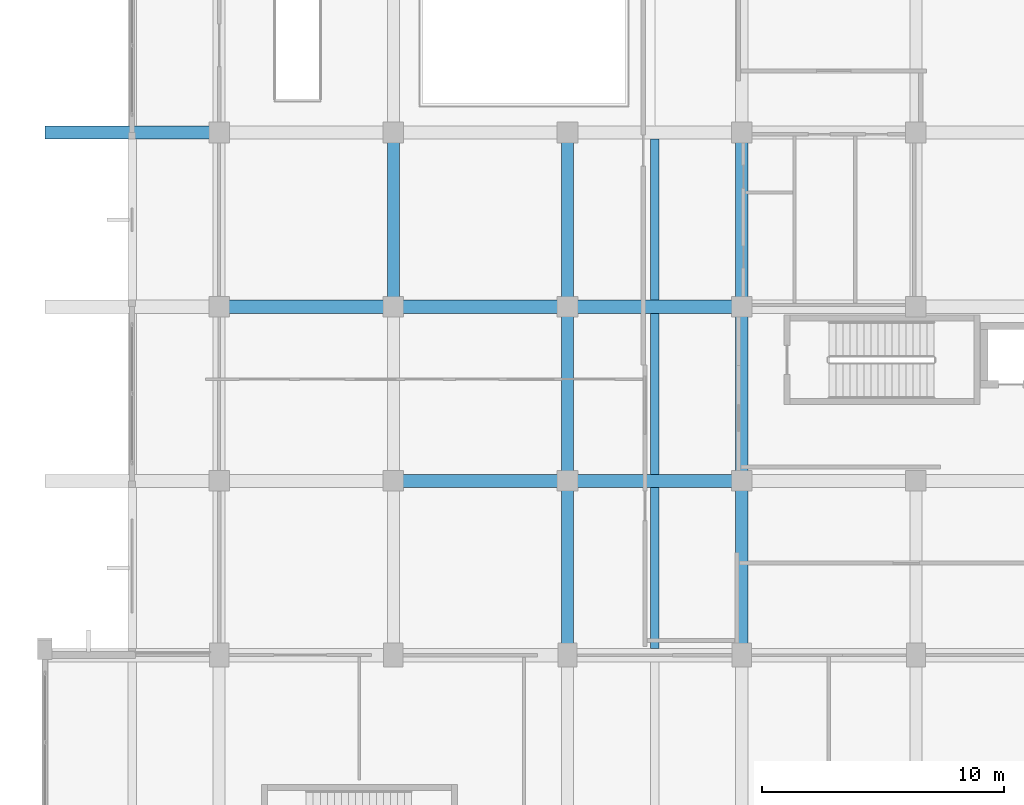
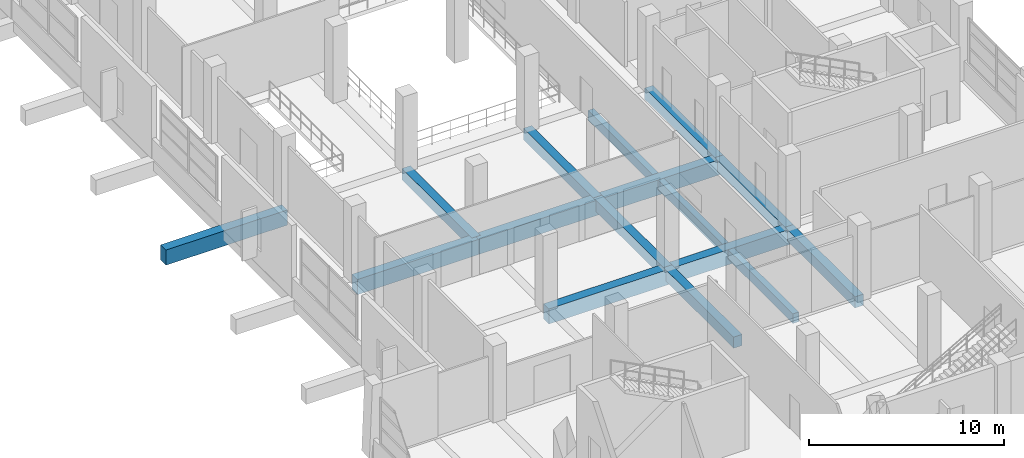
# One storey, part 19 of 181: 16 beams.
"""IFC4 building model written with IfcOpenShell, lengths in metres."""

from ifc_helpers import new_model, si_unit, direction, frame, origin, origin_2d, place, context, subcontext, project, spatial, rectangle, extrude, material, material_profile, profile_set, type_object, element, save


model = new_model("IFC4")

# Units and contexts
model_context = context("Model", 3, precision=1e-05, world=origin(), true_north=direction((0.0, 1.0)))
body_context = subcontext(model_context, "Body", "Model", "MODEL_VIEW")
ifc_project = project(units=[si_unit("LENGTHUNIT", "METRE"), si_unit("AREAUNIT", "SQUARE_METRE"), si_unit("VOLUMEUNIT", "CUBIC_METRE"), si_unit("PLANEANGLEUNIT", "RADIAN"), si_unit("MASSUNIT", "GRAM", prefix="KILO")], contexts=[model_context])

# Site, building, storey
site_placement = place(None, origin())
site = spatial("IfcSite", under=ifc_project, at=site_placement, CompositionType="ELEMENT")
building_placement = place(site_placement, origin())
building = spatial("IfcBuilding", under=site, at=building_placement, Name="Seraya Terrace Polytechnic", CompositionType="ELEMENT")
storey_placement = place(building_placement, frame((0.0, 0.0, 4.800048828125)))
storey = spatial("IfcBuildingStorey", under=building, at=storey_placement, Name="L01", CompositionType="ELEMENT", Elevation=4.800048828125)

# Beams
ifc_material = material(Name="Concrete C40/50", Category="concrete")
ifc_material_profile_1 = material_profile(ifc_material, rectangle(XDim=0.550048828125, YDim=0.949951171875, at=origin_2d()), Name="RC 550x950")
ifc_profile_set_1 = profile_set([ifc_material_profile_1], Name="Concrete C40/50")
beam_type_1 = type_object("IfcBeamType", Name="BM-03", PredefinedType="BEAM", material=ifc_profile_set_1)
beam_1_placement = place(storey_placement, frame((14.39990234375, 36.0, -0.47509765625), z_axis=(1.0, 0.0, 0.0), x_axis=(0.0, 1.0, 0.0)))
element("IfcBeam", 1, at=beam_1_placement, inside=storey, type_object=beam_type_1, Name="Beam BM-03 L01 X (14.4..21.6, 36.0)", PredefinedType="BEAM", context=body_context, shape_type="SweptSolid", body=[
    extrude(rectangle(XDim=0.550048828125, YDim=0.949951171875, at=origin_2d()), origin(), (0.0, 0.0, 1.0), 7.2001953125),
])
for number, where, z_axis, x_axis, name in (
    (2, (21.60009765625, 36.0, -0.47509765625), (1.0, 0.0, 0.0), (0.0, 1.0, 0.0), "Beam BM-03 L01 X (21.6..28.8, 36.0)"),
    (3, (7.199951171875, 43.199951171875, -0.47509765625), (1.0, 0.0, 0.0), (0.0, 1.0, 0.0), "Beam BM-03 L01 X (7.2..14.4, 43.2)"),
):
    element("IfcBeam", number, at=place(storey_placement, frame(where, z_axis=z_axis, x_axis=x_axis)), inside=storey, type_object=beam_type_1, Name=name, PredefinedType="BEAM", context=body_context, shape_type="SweptSolid", body=[
        extrude(rectangle(XDim=0.550048828125, YDim=0.949951171875, at=origin_2d()), origin(), (0.0, 0.0, 1.0), 7.199951171875),
    ])
beam_2_placement = place(storey_placement, frame((14.39990234375, 43.199951171875, -0.47509765625), z_axis=(1.0, 0.0, 0.0), x_axis=(0.0, 1.0, 0.0)))
element("IfcBeam", 4, at=beam_2_placement, inside=storey, type_object=beam_type_1, Name="Beam BM-03 L01 X (14.4..21.6, 43.2)", PredefinedType="BEAM", context=body_context, shape_type="SweptSolid", body=[
    extrude(rectangle(XDim=0.550048828125, YDim=0.949951171875, at=origin_2d()), origin(), (0.0, 0.0, 1.0), 7.2001953125),
])
for number, where, z_axis, x_axis, name in (
    (5, (21.60009765625, 43.199951171875, -0.47509765625), (1.0, 0.0, 0.0), (0.0, 1.0, 0.0), "Beam BM-03 L01 X (21.6..28.8, 43.2)"),
    (6, (0.0, 50.39990234375, -0.47509765625), (1.0, 0.0, 0.0), (0.0, 1.0, 0.0), "Beam BM-03 L01 X (0.0..7.2, 50.4)"),
):
    element("IfcBeam", number, at=place(storey_placement, frame(where, z_axis=z_axis, x_axis=x_axis)), inside=storey, type_object=beam_type_1, Name=name, PredefinedType="BEAM", context=body_context, shape_type="SweptSolid", body=[
        extrude(rectangle(XDim=0.550048828125, YDim=0.949951171875, at=origin_2d()), origin(), (0.0, 0.0, 1.0), 7.199951171875),
    ])
ifc_material_profile_2 = material_profile(ifc_material, rectangle(XDim=0.5, YDim=0.699951171875, at=origin_2d()), Name="RC 500x700")
ifc_profile_set_2 = profile_set([ifc_material_profile_2], Name="Concrete C40/50")
beam_type_2 = type_object("IfcBeamType", Name="BM-07", PredefinedType="BEAM", material=ifc_profile_set_2)
for number, where, z_axis, x_axis, name in (
    (7, (14.39990234375, 43.199951171875, -0.35009765625), (0.0, 1.0, 0.0), (-1.0, 0.0, 0.0), "Beam BM-07 L01 Y (14.4, 43.2..50.4)"),
    (8, (21.60009765625, 28.800048828125, -0.35009765625), (0.0, 1.0, 0.0), (-1.0, 0.0, 0.0), "Beam BM-07 L01 Y (21.6, 28.8..36.0)"),
    (9, (21.60009765625, 36.0, -0.35009765625), (0.0, 1.0, 0.0), (-1.0, 0.0, 0.0), "Beam BM-07 L01 Y (21.6, 36.0..43.2)"),
    (10, (21.60009765625, 43.199951171875, -0.35009765625), (0.0, 1.0, 0.0), (-1.0, 0.0, 0.0), "Beam BM-07 L01 Y (21.6, 43.2..50.4)"),
    (11, (28.800048828125, 28.800048828125, -0.35009765625), (0.0, 1.0, 0.0), (-1.0, 0.0, 0.0), "Beam BM-07 L01 Y (28.8, 28.8..36.0)"),
    (12, (28.800048828125, 36.0, -0.35009765625), (0.0, 1.0, 0.0), (-1.0, 0.0, 0.0), "Beam BM-07 L01 Y (28.8, 36.0..43.2)"),
    (13, (28.800048828125, 43.199951171875, -0.35009765625), (0.0, 1.0, 0.0), (-1.0, 0.0, 0.0), "Beam BM-07 L01 Y (28.8, 43.2..50.4)"),
):
    element("IfcBeam", number, at=place(storey_placement, frame(where, z_axis=z_axis, x_axis=x_axis)), inside=storey, type_object=beam_type_2, Name=name, PredefinedType="BEAM", context=body_context, shape_type="SweptSolid", body=[
        extrude(rectangle(XDim=0.5, YDim=0.699951171875, at=origin_2d()), origin(), (0.0, 0.0, 1.0), 7.199951171875),
    ])
ifc_material_profile_3 = material_profile(ifc_material, rectangle(XDim=0.35009765625, YDim=0.60009765625, at=origin_2d()), Name="RC 350x600")
ifc_profile_set_3 = profile_set([ifc_material_profile_3], Name="Concrete C40/50")
beam_type_3 = type_object("IfcBeamType", Name="JS-02", PredefinedType="JOIST", material=ifc_profile_set_3)
for number, where, z_axis, x_axis, name in (
    (14, (25.199951171875, 29.074951171875, -0.300048828125), (0.0, 1.0, 0.0), (-1.0, 0.0, 0.0), "Secondary joist JS-02 L01"),
    (15, (25.199951171875, 36.27490234375, -0.300048828125), (0.0, 1.0, 0.0), (-1.0, 0.0, 0.0), "Secondary joist JS-02 L01"),
):
    element("IfcBeam", number, at=place(storey_placement, frame(where, z_axis=z_axis, x_axis=x_axis)), inside=storey, type_object=beam_type_3, Name=name, PredefinedType="JOIST", context=body_context, shape_type="SweptSolid", body=[
        extrude(rectangle(XDim=0.35009765625, YDim=0.60009765625, at=origin_2d()), origin(), (0.0, 0.0, 1.0), 6.650146484375),
    ])
beam_3_placement = place(storey_placement, frame((25.199951171875, 43.47509765625, -0.300048828125), z_axis=(0.0, 1.0, 0.0), x_axis=(-1.0, 0.0, 0.0)))
element("IfcBeam", 16, at=beam_3_placement, inside=storey, type_object=beam_type_3, Name="Secondary joist JS-02 L01", PredefinedType="JOIST", context=body_context, shape_type="SweptSolid", body=[
    extrude(rectangle(XDim=0.35009765625, YDim=0.60009765625, at=origin_2d()), origin(), (0.0, 0.0, 1.0), 6.64990234375),
])

save(model, "model.ifc")
